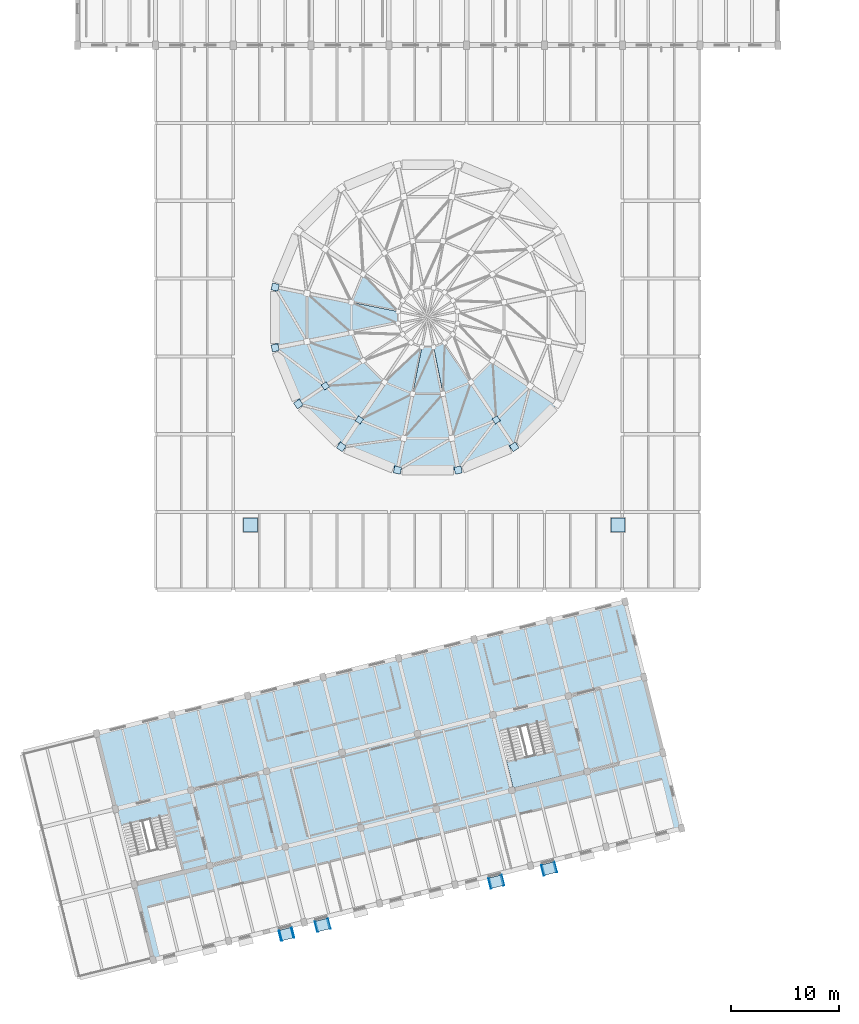
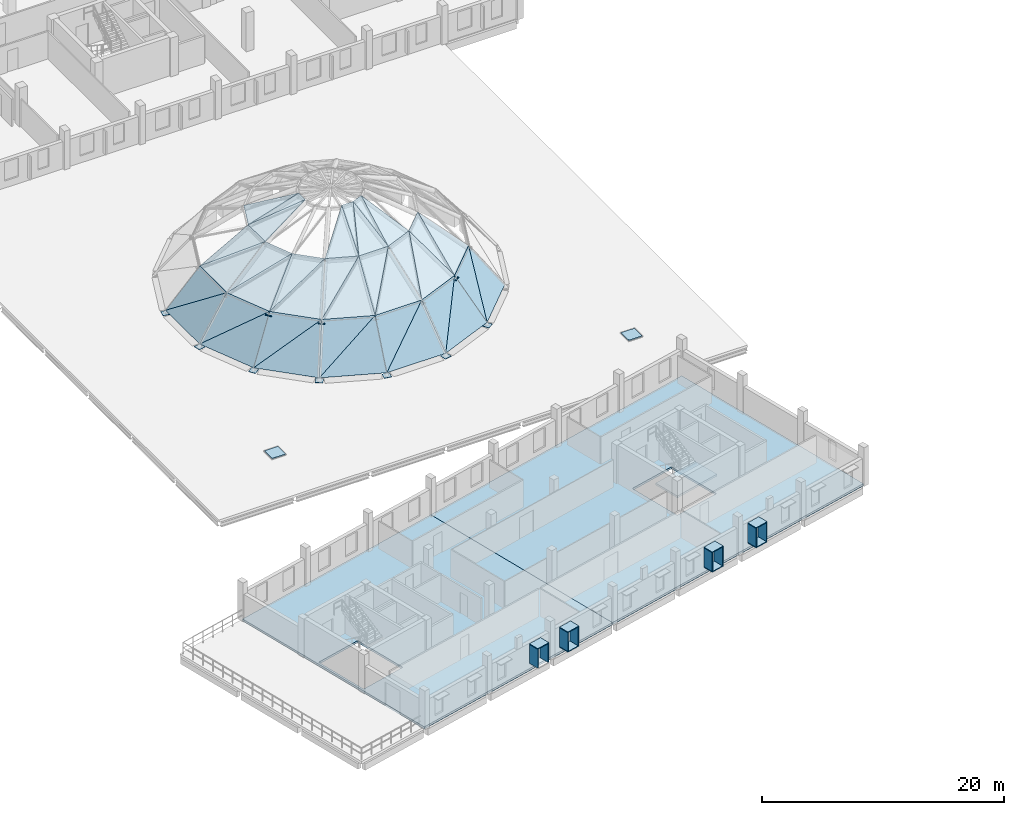
# One storey, part 14 of 32: 61 plates, 5 slabs, 1 element without a shape of its own.
"""IFC4 building model written with IfcOpenShell, lengths in metres."""

from ifc_helpers import new_model, si_unit, direction, frame, origin, origin_2d, place, context, subcontext, project, spatial, polyline, rectangle, outline, extrude, material, layer, layer_set, type_object, element, aggregate, save


model = new_model("IFC4")

# Units and contexts
model_context = context("Model", 3, precision=1e-05, world=origin(), true_north=direction((0.0, 1.0)))
body_context = subcontext(model_context, "Body", "Model", "MODEL_VIEW")
ifc_project = project(units=[si_unit("LENGTHUNIT", "METRE"), si_unit("AREAUNIT", "SQUARE_METRE"), si_unit("VOLUMEUNIT", "CUBIC_METRE"), si_unit("PLANEANGLEUNIT", "RADIAN"), si_unit("MASSUNIT", "GRAM", prefix="KILO")], contexts=[model_context])

# Site, building, storey
site_placement = place(None, origin())
site = spatial("IfcSite", under=ifc_project, at=site_placement, CompositionType="ELEMENT")
building_placement = place(site_placement, origin())
building = spatial("IfcBuilding", under=site, at=building_placement, Name="Qiaolan Assembly House", CompositionType="ELEMENT")
storey_placement = place(building_placement, frame((0.0, 0.0, 18.60009765625)))
storey = spatial("IfcBuildingStorey", under=building, at=storey_placement, Name="L04", CompositionType="ELEMENT", Elevation=18.60009765625)

# Plates
ifc_material_1 = material(Name="Patinated standing-seam zinc")
ifc_layer_1 = layer(ifc_material_1, 0.054931640625)
ifc_layer_set_1 = layer_set([ifc_layer_1], Name="Patinated standing-seam zinc")
plate_type_1 = type_object("IfcPlateType", Name="PLT-DOME-ZINC-LOWER", PredefinedType="SHEET", material=ifc_layer_set_1)
plate_1_placement = place(storey_placement, frame((54.276611328125, 64.00927734375, 0.27978515625), z_axis=(-0.790682458693, 0.0, 0.61222646914), x_axis=(0.0, -1.0, 0.0)))
element("IfcPlate", 1, at=plate_1_placement, inside=storey, type_object=plate_type_1, Name="DP-01 dome standing-seam cladding facet T0-8A", PredefinedType="SHEET", context=body_context, shape_type="SweptSolid", body=[
    extrude(outline(polyline([(0.0, 0.0), (5.61865234375, 0.0), (5.033203125, 4.806036590729371), (0.0, 0.0)])), origin(), (0.0, 0.0, -1.0), 0.054931640625),
])
plate_2_placement = place(storey_placement, frame((54.276611328125, 64.00927734375, 0.27978515625), z_axis=(-0.790682458693, 0.0, 0.61222646914), x_axis=(0.422801882655, -0.723239596151, 0.546043088577)))
element("IfcPlate", 2, at=plate_2_placement, inside=storey, type_object=plate_type_1, Name="DP-01 dome standing-seam cladding facet T0-8B", PredefinedType="SHEET", context=body_context, shape_type="SweptSolid", body=[
    extrude(outline(polyline([(0.0, 0.0), (6.959247186940507, 8.881784197001252e-16), (3.7422788758368117, 3.071774977168486), (0.0, 0.0)])), origin(), (0.0, 0.0, -1.0), 0.054931640625),
])
plate_3_placement = place(storey_placement, frame((54.276611328125, 58.390625, 0.27978515625), z_axis=(-0.730498715215, -0.302582174061, 0.612221900139), x_axis=(0.38268310735, -0.923879667137, 0.0)))
element("IfcPlate", 3, at=plate_3_placement, inside=storey, type_object=plate_type_1, Name="DP-01 dome standing-seam cladding facet T0-9A", PredefinedType="SHEET", context=body_context, shape_type="SweptSolid", body=[
    extrude(outline(polyline([(0.0, 0.0), (5.618608303001892, 0.0), (5.033292585289696, 4.806015087104592), (0.0, 0.0)])), origin(), (0.0, 0.0, -1.0), 0.054931640625),
])
plate_4_placement = place(storey_placement, frame((54.276611328125, 58.390625, 0.27978515625), z_axis=(-0.730494932202, -0.302561080456, 0.612236838666), x_axis=(0.667385114398, -0.506397399408, 0.546039177124)))
element("IfcPlate", 4, at=plate_4_placement, inside=storey, type_object=plate_type_1, Name="DP-01 dome standing-seam cladding facet T0-9B", PredefinedType="SHEET", context=body_context, shape_type="SweptSolid", body=[
    extrude(outline(polyline([(0.0, 0.0), (6.959297038251005, -4.440892098500626e-16), (3.742208063200371, 3.071907764058472), (0.0, 0.0)])), origin(), (0.0, 0.0, -1.0), 0.054931640625),
])
plate_5_placement = place(storey_placement, frame((56.4267578125, 53.19970703125, 0.27978515625), z_axis=(-0.559092016217, -0.559126373251, 0.612204064131), x_axis=(0.707128506566, -0.70708505514, 0.0)))
element("IfcPlate", 5, at=plate_5_placement, inside=storey, type_object=plate_type_1, Name="DP-01 dome standing-seam cladding facet T0-10A", PredefinedType="SHEET", context=body_context, shape_type="SweptSolid", body=[
    extrude(outline(polyline([(0.0, 0.0), (5.618702250522808, 2.220446049250313e-16), (5.033392479393601, 4.805931147705246), (0.0, 0.0)])), origin(), (0.0, 0.0, -1.0), 0.054931640625),
])
plate_6_placement = place(storey_placement, frame((56.4267578125, 53.19970703125, 0.27978515625), z_axis=(-0.559098180624, -0.559098180624, 0.612224181854), x_axis=(0.810374500897, -0.212451427595, 0.546038056557)))
element("IfcPlate", 6, at=plate_6_placement, inside=storey, type_object=plate_type_1, Name="DP-01 dome standing-seam cladding facet T0-10B", PredefinedType="SHEET", context=body_context, shape_type="SweptSolid", body=[
    extrude(outline(polyline([(0.0, 0.0), (6.959311319958285, -4.440892098500626e-16), (3.7422540844211314, 3.071792615804534), (0.0, 0.0)])), origin(), (0.0, 0.0, -1.0), 0.054931640625),
])
plate_7_placement = place(storey_placement, frame((60.39990234375, 49.226806640625, 0.27978515625), z_axis=(-0.302581863297, -0.730497964961, 0.612222948926), x_axis=(0.923879667137, -0.38268310735, 0.0)))
element("IfcPlate", 7, at=plate_7_placement, inside=storey, type_object=plate_type_1, Name="DP-01 dome standing-seam cladding facet T0-11A", PredefinedType="SHEET", context=body_context, shape_type="SweptSolid", body=[
    extrude(outline(polyline([(0.0, 0.0), (5.618608303001892, 2.220446049250313e-16), (5.033267178086251, 4.806020023093471), (0.0, 0.0)])), origin(), (0.0, 0.0, -1.0), 0.054931640625),
])
plate_8_placement = place(storey_placement, frame((60.39990234375, 49.226806640625, 0.27978515625), z_axis=(-0.302569622275, -0.730515555329, 0.612208009666), x_axis=(0.829988350475, 0.113838801187, 0.546040351458)))
element("IfcPlate", 8, at=plate_8_placement, inside=storey, type_object=plate_type_1, Name="DP-01 dome standing-seam cladding facet T0-11B", PredefinedType="SHEET", context=body_context, shape_type="SweptSolid", body=[
    extrude(outline(polyline([(0.0, 0.0), (6.959282071332912, -4.440892098500626e-16), (3.742116597293462, 3.0718276476592203), (0.0, 0.0)])), origin(), (0.0, 0.0, -1.0), 0.054931640625),
])
plate_9_placement = place(storey_placement, frame((65.5908203125, 47.07666015625, 0.27978515625), z_axis=(0.0, -0.790682458693, 0.61222646914), x_axis=(1.0, 0.0, 0.0)))
element("IfcPlate", 9, at=plate_9_placement, inside=storey, type_object=plate_type_1, Name="DP-01 dome standing-seam cladding facet T0-12A", PredefinedType="SHEET", context=body_context, shape_type="SweptSolid", body=[
    extrude(outline(polyline([(0.0, 0.0), (5.618408203125, 0.0), (5.033203125, 4.806036590729371), (0.0, 0.0)])), origin(), (0.0, 0.0, -1.0), 0.054931640625),
])
plate_10_placement = place(storey_placement, frame((65.5908203125, 47.07666015625, 0.27978515625), z_axis=(0.0, -0.790682458693, 0.61222646914), x_axis=(0.723239596151, 0.422801882655, 0.546043088577)))
element("IfcPlate", 10, at=plate_10_placement, inside=storey, type_object=plate_type_1, Name="DP-01 dome standing-seam cladding facet T0-12B", PredefinedType="SHEET", context=body_context, shape_type="SweptSolid", body=[
    extrude(outline(polyline([(0.0, 0.0), (6.959247186940507, 8.881784197001252e-16), (3.7422788758368117, 3.071774977168486), (0.0, 0.0)])), origin(), (0.0, 0.0, -1.0), 0.054931640625),
])
plate_11_placement = place(storey_placement, frame((71.209228515625, 47.07666015625, 0.27978515625), z_axis=(0.302582174061, -0.730498715215, 0.612221900139), x_axis=(0.923879667137, 0.38268310735, 0.0)))
element("IfcPlate", 11, at=plate_11_placement, inside=storey, type_object=plate_type_1, Name="DP-01 dome standing-seam cladding facet T0-13A", PredefinedType="SHEET", context=body_context, shape_type="SweptSolid", body=[
    extrude(outline(polyline([(0.0, 0.0), (5.618608303001892, 0.0), (5.033292585289696, 4.806015087104592), (0.0, 0.0)])), origin(), (0.0, 0.0, -1.0), 0.054931640625),
])
plate_12_placement = place(storey_placement, frame((71.209228515625, 47.07666015625, 0.27978515625), z_axis=(0.302580498291, -0.730498414692, 0.612223086943), x_axis=(0.506397399408, 0.667385114398, 0.546039177124)))
element("IfcPlate", 12, at=plate_12_placement, inside=storey, type_object=plate_type_1, Name="DP-01 dome standing-seam cladding facet T0-13B", PredefinedType="SHEET", context=body_context, shape_type="SweptSolid", body=[
    extrude(outline(polyline([(0.0, 0.0), (6.959297038251005, -8.881784197001252e-16), (3.7423316953779606, 3.0717106271037986), (0.0, 0.0)])), origin(), (0.0, 0.0, -1.0), 0.054931640625),
])
plate_13_placement = place(storey_placement, frame((76.400146484375, 49.226806640625, 0.27978515625), z_axis=(0.559098180624, -0.559098180624, 0.612224181854), x_axis=(0.707106781187, 0.707106781187, 0.0)))
element("IfcPlate", 13, at=plate_13_placement, inside=storey, type_object=plate_type_1, Name="DP-01 dome standing-seam cladding facet T0-14A", PredefinedType="SHEET", context=body_context, shape_type="SweptSolid", body=[
    extrude(outline(polyline([(0.0, 0.0), (5.618529614379242, 0.0), (5.033302078192134, 4.806025825748991), (0.0, 0.0)])), origin(), (0.0, 0.0, -1.0), 0.054931640625),
])
plate_14_placement = place(storey_placement, frame((76.400146484375, 49.226806640625, 0.27978515625), z_axis=(0.559098180624, -0.559098180624, 0.612224181854), x_axis=(0.212451427595, 0.810374500897, 0.546038056557)))
element("IfcPlate", 14, at=plate_14_placement, inside=storey, type_object=plate_type_1, Name="DP-01 dome standing-seam cladding facet T0-14B", PredefinedType="SHEET", context=body_context, shape_type="SweptSolid", body=[
    extrude(outline(polyline([(0.0, 0.0), (6.959311319958285, -4.440892098500626e-16), (3.7422540844211314, 3.071792615804534), (0.0, 0.0)])), origin(), (0.0, 0.0, -1.0), 0.054931640625),
])
ifc_layer_2 = layer(ifc_material_1, 0.0458984375)
ifc_layer_set_2 = layer_set([ifc_layer_2], Name="Patinated standing-seam zinc")
plate_type_2 = type_object("IfcPlateType", Name="PLT-DOME-ZINC-MID", PredefinedType="SHEET", material=ifc_layer_set_2)
plate_15_placement = place(storey_placement, frame((57.218994140625, 63.424072265625, 4.079833984375), z_axis=(-0.613460938515, 0.0, 0.789725064131), x_axis=(0.0, -1.0, 0.0)))
element("IfcPlate", 15, at=plate_15_placement, inside=storey, type_object=plate_type_2, Name="DP-02 dome standing-seam cladding facet T1-8A", PredefinedType="SHEET", context=body_context, shape_type="SweptSolid", body=[
    extrude(outline(polyline([(0.0, 0.0), (4.447998046875, 0.0), (3.628662109375, 5.216226447312992), (0.0, 0.0)])), origin(), (0.0, 0.0, -1.0), 0.0458984375),
])
plate_16_placement = place(storey_placement, frame((57.218994140625, 63.424072265625, 4.079833984375), z_axis=(-0.613460938515, 0.0, 0.789725064131), x_axis=(0.648290412816, -0.571062668505, 0.503594052082)))
element("IfcPlate", 16, at=plate_16_placement, inside=storey, type_object=plate_type_2, Name="DP-02 dome standing-seam cladding facet T1-8B", PredefinedType="SHEET", context=body_context, shape_type="SweptSolid", body=[
    extrude(outline(polyline([(0.0, 0.0), (6.354227494641764, -2.220446049250313e-16), (4.749926194231201, 2.306194024249222), (0.0, 0.0)])), origin(), (0.0, 0.0, -1.0), 0.0458984375),
])
plate_17_placement = place(storey_placement, frame((57.218994140625, 58.97607421875, 4.079833984375), z_axis=(-0.566773983389, -0.234750086864, 0.789721247321), x_axis=(0.382662027742, -0.923888398306, 0.0)))
element("IfcPlate", 17, at=plate_17_placement, inside=storey, type_object=plate_type_2, Name="DP-02 dome standing-seam cladding facet T1-9A", PredefinedType="SHEET", context=body_context, shape_type="SweptSolid", body=[
    extrude(outline(polyline([(0.0, 0.0), (4.448177018091238, 0.0), (3.628614599590414, 5.216184668823375), (0.0, 0.0)])), origin(), (0.0, 0.0, -1.0), 0.0458984375),
])
plate_18_placement = place(storey_placement, frame((57.218994140625, 58.97607421875, 4.079833984375), z_axis=(-0.566772655676, -0.234738030566, 0.789725783917), x_axis=(0.817469339396, -0.279521030462, 0.503598920449)))
element("IfcPlate", 18, at=plate_18_placement, inside=storey, type_object=plate_type_2, Name="DP-02 dome standing-seam cladding facet T1-9B", PredefinedType="SHEET", context=body_context, shape_type="SweptSolid", body=[
    extrude(outline(polyline([(0.0, 0.0), (6.3541660673631055, 2.220446049250313e-16), (4.749941073173516, 2.306163378753932), (0.0, 0.0)])), origin(), (0.0, 0.0, -1.0), 0.0458984375),
])
plate_19_placement = place(storey_placement, frame((58.921142578125, 54.866455078125, 4.079833984375), z_axis=(-0.433782678019, -0.433782678019, 0.789724747302), x_axis=(0.707106781187, -0.707106781187, 0.0)))
element("IfcPlate", 19, at=plate_19_placement, inside=storey, type_object=plate_type_2, Name="DP-02 dome standing-seam cladding facet T1-10A", PredefinedType="SHEET", context=body_context, shape_type="SweptSolid", body=[
    extrude(outline(polyline([(0.0, 0.0), (4.448074542005026, 0.0), (3.628755991343074, 5.216222979285696), (0.0, 0.0)])), origin(), (0.0, 0.0, -1.0), 0.0458984375),
])
plate_20_placement = place(storey_placement, frame((58.921142578125, 54.866455078125, 4.079833984375), z_axis=(-0.433782678019, -0.433782678019, 0.789724747302), x_axis=(0.862215902554, 0.054596889512, 0.503590028732)))
element("IfcPlate", 20, at=plate_20_placement, inside=storey, type_object=plate_type_2, Name="DP-02 dome standing-seam cladding facet T1-10B", PredefinedType="SHEET", context=body_context, shape_type="SweptSolid", body=[
    extrude(outline(polyline([(0.0, 0.0), (6.354278260694631, 0.0), (4.7498847281928445, 2.3062654066623223), (0.0, 0.0)])), origin(), (0.0, 0.0, -1.0), 0.0458984375),
])
plate_21_placement = place(storey_placement, frame((62.06640625, 51.72119140625, 4.079833984375), z_axis=(-0.234748356698, -0.566769806124, 0.78972475958), x_axis=(0.923888398306, -0.382662027742, 0.0)))
element("IfcPlate", 21, at=plate_21_placement, inside=storey, type_object=plate_type_2, Name="DP-02 dome standing-seam cladding facet T1-11A", PredefinedType="SHEET", context=body_context, shape_type="SweptSolid", body=[
    extrude(outline(polyline([(0.0, 0.0), (4.448177018091238, 2.220446049250313e-16), (3.628819857597223, 5.21622311367849), (0.0, 0.0)])), origin(), (0.0, 0.0, -1.0), 0.0458984375),
])
plate_22_placement = place(storey_placement, frame((62.06640625, 51.72119140625, 4.079833984375), z_axis=(-0.234740769995, -0.566779270003, 0.789720222609), x_axis=(0.775686317015, 0.380408649501, 0.503587129482)))
element("IfcPlate", 22, at=plate_22_placement, inside=storey, type_object=plate_type_2, Name="DP-02 dome standing-seam cladding facet T1-11B", PredefinedType="SHEET", context=body_context, shape_type="SweptSolid", body=[
    extrude(outline(polyline([(0.0, 0.0), (6.3543148435189805, 2.220446049250313e-16), (4.749973546536932, 2.3060824712673016), (0.0, 0.0)])), origin(), (0.0, 0.0, -1.0), 0.0458984375),
])
plate_23_placement = place(storey_placement, frame((66.176025390625, 50.01904296875, 4.079833984375), z_axis=(0.0, -0.613460938515, 0.789725064131), x_axis=(1.0, 0.0, 0.0)))
element("IfcPlate", 23, at=plate_23_placement, inside=storey, type_object=plate_type_2, Name="DP-02 dome standing-seam cladding facet T1-12A", PredefinedType="SHEET", context=body_context, shape_type="SweptSolid", body=[
    extrude(outline(polyline([(0.0, 0.0), (4.447998046875, 0.0), (3.628662109375, 5.216226447312992), (0.0, 0.0)])), origin(), (0.0, 0.0, -1.0), 0.0458984375),
])
plate_24_placement = place(storey_placement, frame((66.176025390625, 50.01904296875, 4.079833984375), z_axis=(0.0, -0.613460938515, 0.789725064131), x_axis=(0.571062668505, 0.648290412816, 0.503594052082)))
element("IfcPlate", 24, at=plate_24_placement, inside=storey, type_object=plate_type_2, Name="DP-02 dome standing-seam cladding facet T1-12B", PredefinedType="SHEET", context=body_context, shape_type="SweptSolid", body=[
    extrude(outline(polyline([(0.0, 0.0), (6.354227494641764, -2.220446049250313e-16), (4.749926194231201, 2.306194024249222), (0.0, 0.0)])), origin(), (0.0, 0.0, -1.0), 0.0458984375),
])
plate_25_placement = place(storey_placement, frame((70.6240234375, 50.01904296875, 4.079833984375), z_axis=(0.234764700055, -0.56677559256, 0.78971574841), x_axis=(0.923880360791, 0.382681432714, 0.0)))
element("IfcPlate", 25, at=plate_25_placement, inside=storey, type_object=plate_type_2, Name="DP-02 dome standing-seam cladding facet T1-13A", PredefinedType="SHEET", context=body_context, shape_type="SweptSolid", body=[
    extrude(outline(polyline([(0.0, 0.0), (4.447951460381362, 2.220446049250313e-16), (3.6287011199159593, 5.216124480296592), (0.0, 0.0)])), origin(), (0.0, 0.0, -1.0), 0.0458984375),
])
plate_26_placement = place(storey_placement, frame((70.6240234375, 50.01904296875, 4.079833984375), z_axis=(0.234738030566, -0.566772655676, 0.789725783917), x_axis=(0.279521030462, 0.817469339396, 0.503598920449)))
element("IfcPlate", 26, at=plate_26_placement, inside=storey, type_object=plate_type_2, Name="DP-02 dome standing-seam cladding facet T1-13B", PredefinedType="SHEET", context=body_context, shape_type="SweptSolid", body=[
    extrude(outline(polyline([(0.0, 0.0), (6.3541660673631055, 2.220446049250313e-16), (4.749941073173516, 2.306163378753932), (0.0, 0.0)])), origin(), (0.0, 0.0, -1.0), 0.0458984375),
])
plate_27_placement = place(storey_placement, frame((74.7333984375, 51.72119140625, 4.079833984375), z_axis=(0.433782678019, -0.433782678019, 0.789724747302), x_axis=(0.707106781187, 0.707106781187, 0.0)))
element("IfcPlate", 27, at=plate_27_placement, inside=storey, type_object=plate_type_2, Name="DP-02 dome standing-seam cladding facet T1-14A", PredefinedType="SHEET", context=body_context, shape_type="SweptSolid", body=[
    extrude(outline(polyline([(0.0, 0.0), (4.448074542005026, 0.0), (3.628755991343074, 5.216222979285696), (0.0, 0.0)])), origin(), (0.0, 0.0, -1.0), 0.0458984375),
])
plate_28_placement = place(storey_placement, frame((74.7333984375, 51.72119140625, 4.079833984375), z_axis=(0.433823980295, -0.433770665316, 0.789708657691), x_axis=(-0.054596889512, 0.862215902554, 0.503590028732)))
element("IfcPlate", 28, at=plate_28_placement, inside=storey, type_object=plate_type_2, Name="DP-02 dome standing-seam cladding facet T1-14B", PredefinedType="SHEET", context=body_context, shape_type="SweptSolid", body=[
    extrude(outline(polyline([(0.0, 0.0), (6.354278260694631, 2.220446049250313e-16), (4.749871398874117, 2.306045838325793), (0.0, 0.0)])), origin(), (0.0, 0.0, -1.0), 0.0458984375),
])
plate_29_placement = place(storey_placement, frame((62.413330078125, 65.2001953125, 7.27978515625), z_axis=(-0.419644751073, 0.173802637473, 0.890893330374), x_axis=(-0.382646017682, -0.923895029293, 0.0)))
element("IfcPlate", 29, at=plate_29_placement, inside=storey, type_object=plate_type_2, Name="DP-02 dome standing-seam cladding facet T2-7A", PredefinedType="SHEET", context=body_context, shape_type="SweptSolid", body=[
    extrude(outline(polyline([(0.0, 0.0), (2.809257439518198, 0.0), (1.9510455045689605, 4.84397697693914), (0.0, 0.0)])), origin(), (0.0, 0.0, -1.0), 0.0458984375),
])
plate_30_placement = place(storey_placement, frame((61.33837890625, 62.604736328125, 7.27978515625), z_axis=(-0.454215685423, 0.0, 0.890891750504), x_axis=(0.0, -1.0, 0.0)))
element("IfcPlate", 30, at=plate_30_placement, inside=storey, type_object=plate_type_2, Name="DP-02 dome standing-seam cladding facet T2-8A", PredefinedType="SHEET", context=body_context, shape_type="SweptSolid", body=[
    extrude(outline(polyline([(0.0, 0.0), (2.809326171875, 0.0), (1.950927734375, 4.843943930404576), (0.0, 0.0)])), origin(), (0.0, 0.0, -1.0), 0.0458984375),
])
plate_31_placement = place(storey_placement, frame((61.33837890625, 62.604736328125, 7.27978515625), z_axis=(-0.454215685423, 0.0, 0.890891750504), x_axis=(0.826384529088, -0.373593503731, 0.421327074912)))
element("IfcPlate", 31, at=plate_31_placement, inside=storey, type_object=plate_type_2, Name="DP-02 dome standing-seam cladding facet T2-8B", PredefinedType="SHEET", context=body_context, shape_type="SweptSolid", body=[
    extrude(outline(polyline([(0.0, 0.0), (5.222060113179174, 2.7755575615628914e-16), (4.8138982652311935, 1.013422010028335), (0.0, 0.0)])), origin(), (0.0, 0.0, -1.0), 0.0458984375),
])
plate_32_placement = place(storey_placement, frame((64.39990234375, 55.21337890625, 7.27978515625), z_axis=(-0.173802637473, -0.419644751073, 0.890893330374), x_axis=(0.923895029293, -0.382646017682, 0.0)))
element("IfcPlate", 32, at=plate_32_placement, inside=storey, type_object=plate_type_2, Name="DP-02 dome standing-seam cladding facet T2-11A", PredefinedType="SHEET", context=body_context, shape_type="SweptSolid", body=[
    extrude(outline(polyline([(0.0, 0.0), (2.809257439518198, 0.0), (1.9510455045689605, 4.84397697693914), (0.0, 0.0)])), origin(), (0.0, 0.0, -1.0), 0.0458984375),
])
plate_33_placement = place(storey_placement, frame((66.995361328125, 54.138427734375, 7.27978515625), z_axis=(0.0, -0.454215685423, 0.890891750504), x_axis=(1.0, 0.0, 0.0)))
element("IfcPlate", 33, at=plate_33_placement, inside=storey, type_object=plate_type_2, Name="DP-02 dome standing-seam cladding facet T2-12A", PredefinedType="SHEET", context=body_context, shape_type="SweptSolid", body=[
    extrude(outline(polyline([(0.0, 0.0), (2.809326171875, 0.0), (1.950927734375, 4.843943930404576), (0.0, 0.0)])), origin(), (0.0, 0.0, -1.0), 0.0458984375),
])
plate_34_placement = place(storey_placement, frame((66.995361328125, 54.138427734375, 7.27978515625), z_axis=(0.0, -0.454215685423, 0.890891750504), x_axis=(0.373593503731, 0.826384529088, 0.421327074912)))
element("IfcPlate", 34, at=plate_34_placement, inside=storey, type_object=plate_type_2, Name="DP-02 dome standing-seam cladding facet T2-12B", PredefinedType="SHEET", context=body_context, shape_type="SweptSolid", body=[
    extrude(outline(polyline([(0.0, 0.0), (5.222060113179174, 2.7755575615628914e-16), (4.8138982652311935, 1.013422010028335), (0.0, 0.0)])), origin(), (0.0, 0.0, -1.0), 0.0458984375),
])
plate_35_placement = place(storey_placement, frame((69.8046875, 54.138427734375, 7.27978515625), z_axis=(0.173803810795, -0.419647584048, 0.890891767027), x_axis=(0.923895029293, 0.382646017682, 0.0)))
element("IfcPlate", 35, at=plate_35_placement, inside=storey, type_object=plate_type_2, Name="DP-02 dome standing-seam cladding facet T2-13A", PredefinedType="SHEET", context=body_context, shape_type="SweptSolid", body=[
    extrude(outline(polyline([(0.0, 0.0), (2.809257439518198, -1.1102230246251565e-16), (1.9506123337208157, 4.843944276017412), (0.0, 0.0)])), origin(), (0.0, 0.0, -1.0), 0.0458984375),
])
plate_36_placement = place(storey_placement, frame((69.8046875, 54.138427734375, 7.27978515625), z_axis=(0.173787615248, -0.419648365325, 0.890894558445), x_axis=(0.028893252475, 0.906443978939, 0.421336555508)))
element("IfcPlate", 36, at=plate_36_placement, inside=storey, type_object=plate_type_2, Name="DP-02 dome standing-seam cladding facet T2-13B", PredefinedType="SHEET", context=body_context, shape_type="SweptSolid", body=[
    extrude(outline(polyline([(0.0, 0.0), (5.221942610334358, 5.551115123125783e-17), (4.8139160484022065, 1.0133375337672272), (0.0, 0.0)])), origin(), (0.0, 0.0, -1.0), 0.0458984375),
])
ifc_material_2 = material(Name="Steel Q355B", Category="steel")
ifc_layer_3 = layer(ifc_material_2, 0.0380859375)
ifc_layer_set_3 = layer_set([ifc_layer_3], Name="Steel Q355B")
plate_type_3 = type_object("IfcPlateType", Name="PLT-NODE-DN1-BASE", PredefinedType="SHEET", material=ifc_layer_set_3)
for number, where, z_axis, x_axis, name in (
    (37, (54.276611328125, 64.00927734375, -0.01904296875), (0.0, 0.0, 1.0), (-0.980785280403, 0.195090322016, 0.0), "DN1 dome steel node and end-cap assembly T0-8"),
    (38, (54.276611328125, 58.390625, -0.01904296875), (0.0, 0.0, 1.0), (-0.980785280403, -0.195090322016, 0.0), "DN1 dome steel node and end-cap assembly T0-9"),
    (39, (56.4267578125, 53.19970703125, -0.01904296875), (0.0, 0.0, 1.0), (-0.831469612303, -0.55557023302, 0.0), "DN1 dome steel node and end-cap assembly T0-10"),
    (40, (60.39990234375, 49.226806640625, -0.01904296875), (0.0, 0.0, 1.0), (-0.55557023302, -0.831469612303, 0.0), "DN1 dome steel node and end-cap assembly T0-11"),
    (41, (65.5908203125, 47.07666015625, -0.01904296875), (0.0, 0.0, 1.0), (-0.195090322016, -0.980785280403, 0.0), "DN1 dome steel node and end-cap assembly T0-12"),
    (42, (71.209228515625, 47.07666015625, -0.01904296875), (0.0, 0.0, 1.0), (0.195090322016, -0.980785280403, 0.0), "DN1 dome steel node and end-cap assembly T0-13"),
    (43, (76.400146484375, 49.226806640625, -0.01904296875), (0.0, 0.0, 1.0), (0.55557023302, -0.831469612303, 0.0), "DN1 dome steel node and end-cap assembly T0-14"),
):
    element("IfcPlate", number, at=place(storey_placement, frame(where, z_axis=z_axis, x_axis=x_axis)), inside=storey, type_object=plate_type_3, Name=name, PredefinedType="SHEET", context=body_context, shape_type="SweptSolid", body=[
        extrude(rectangle(XDim=0.64990234375, YDim=0.64990234375, at=origin_2d()), origin(), (0.0, 0.0, 1.0), 0.0380859375),
    ])
ifc_layer_4 = layer(ifc_material_2, 0.034912109375)
ifc_layer_set_4 = layer_set([ifc_layer_4], Name="Steel Q355B")
plate_type_4 = type_object("IfcPlateType", Name="PLT-NODE-DN2-RING", PredefinedType="SHEET", material=ifc_layer_set_4)
for number, where, z_axis, x_axis, name in (
    (44, (58.921142578125, 54.866455078125, 3.7822265625), (0.0, 0.0, 1.0), (-0.831469612303, -0.55557023302, 0.0), "DN2 dome steel node and end-cap assembly T1-10"),
    (45, (62.06640625, 51.72119140625, 3.7822265625), (0.0, 0.0, 1.0), (-0.55557023302, -0.831469612303, 0.0), "DN2 dome steel node and end-cap assembly T1-11"),
    (46, (74.7333984375, 51.72119140625, 3.7822265625), (0.0, 0.0, 1.0), (0.55557023302, -0.831469612303, 0.0), "DN2 dome steel node and end-cap assembly T1-14"),
):
    element("IfcPlate", number, at=place(storey_placement, frame(where, z_axis=z_axis, x_axis=x_axis)), inside=storey, type_object=plate_type_4, Name=name, PredefinedType="SHEET", context=body_context, shape_type="SweptSolid", body=[
        extrude(rectangle(XDim=0.56005859375, YDim=0.56005859375, at=origin_2d()), origin(), (0.0, 0.0, 1.0), 0.034912109375),
    ])
ifc_material_3 = material(Name="Honed pale limestone", Category="masonry")
ifc_layer_5 = layer(ifc_material_3, 0.0849609375)
ifc_layer_set_5 = layer_set([ifc_layer_5], Name="Honed pale limestone")
plate_type_5 = type_object("IfcPlateType", Name="PLT-WINBOX-CHEEK", PredefinedType="SHEET", material=ifc_layer_set_5)
for number, where, z_axis, x_axis, name in (
    (47, (54.748046875, 3.994140625, 0.7001953125), (0.0, 0.0, 1.0), (0.970295726276, 0.2419218956, 0.0), "WB-02 projecting window-box cheek CL SES-L04-01-2"),
    (48, (55.89794921875, 4.281005859375, 0.7001953125), (0.0, 0.0, 1.0), (0.970295726276, 0.2419218956, 0.0), "WB-02 projecting window-box cheek CR SES-L04-01-2"),
    (49, (58.095703125, 4.828857421875, 0.7001953125), (0.0, 0.0, 1.0), (0.970295726276, 0.2419218956, 0.0), "WB-02 projecting window-box cheek CL SES-L04-02-0"),
    (50, (59.245361328125, 5.115478515625, 0.7001953125), (0.0, 0.0, 1.0), (0.970295726276, 0.2419218956, 0.0), "WB-02 projecting window-box cheek CR SES-L04-02-0"),
    (51, (74.16845703125, 8.836181640625, 0.7001953125), (0.0, 0.0, 1.0), (0.970295726276, 0.2419218956, 0.0), "WB-02 projecting window-box cheek CL SES-L04-04-2"),
    (52, (75.318359375, 9.123046875, 0.7001953125), (0.0, 0.0, 1.0), (0.970295726276, 0.2419218956, 0.0), "WB-02 projecting window-box cheek CR SES-L04-04-2"),
    (53, (79.053955078125, 10.054443359375, 0.7001953125), (0.0, 0.0, 1.0), (0.970295726276, 0.2419218956, 0.0), "WB-02 projecting window-box cheek CL SES-L04-05-0"),
    (54, (80.203857421875, 10.341064453125, 0.7001953125), (0.0, 0.0, 1.0), (0.970295726276, 0.2419218956, 0.0), "WB-02 projecting window-box cheek CR SES-L04-05-0"),
):
    element("IfcPlate", number, at=place(storey_placement, frame(where, z_axis=z_axis, x_axis=x_axis)), inside=storey, type_object=plate_type_5, Name=name, PredefinedType="SHEET", context=body_context, shape_type="SweptSolid", body=[
        extrude(rectangle(XDim=0.0849609375, YDim=1.0, at=origin_2d()), origin(), (0.0, 0.0, 1.0), 1.889892578125),
    ])
ifc_layer_6 = layer(ifc_material_3, 0.080078125)
ifc_layer_set_6 = layer_set([ifc_layer_6], Name="Honed pale limestone")
plate_type_6 = type_object("IfcPlateType", Name="PLT-WINBOX-SURROUND", PredefinedType="SHEET", material=ifc_layer_set_6)
plate_37_placement = place(storey_placement, frame((0.0, 0.0, 2.58984375)))
element("IfcPlate", 55, at=plate_37_placement, inside=storey, type_object=plate_type_6, Name="WB-01 projecting limestone window-box hood SES-L04-01-2", PredefinedType="SHEET", context=body_context, shape_type="SweptSolid", body=[
    extrude(outline(polyline([(54.827880859375, 3.498779296875), (56.06005859375, 3.80615234375), (55.818115234375, 4.7763671875), (54.5859375, 4.468994140625), (54.827880859375, 3.498779296875)])), origin(), (0.0, 0.0, 1.0), 0.080078125),
])
for number, where, name in (
    (56, (0.0, 0.0, 0.619873046875), "WB-01 projecting limestone window-box sill SES-L04-02-0"),
    (57, (0.0, 0.0, 2.58984375), "WB-01 projecting limestone window-box hood SES-L04-02-0"),
):
    element("IfcPlate", number, at=place(storey_placement, frame(where)), inside=storey, type_object=plate_type_6, Name=name, PredefinedType="SHEET", context=body_context, shape_type="SweptSolid", body=[
        extrude(outline(polyline([(58.17529296875, 4.33349609375), (59.40771484375, 4.640625), (59.165771484375, 5.61083984375), (57.933349609375, 5.3037109375), (58.17529296875, 4.33349609375)])), origin(), (0.0, 0.0, 1.0), 0.080078125),
    ])
for number, where, name in (
    (58, (0.0, 0.0, 0.619873046875), "WB-01 projecting limestone window-box sill SES-L04-04-2"),
    (59, (0.0, 0.0, 2.58984375), "WB-01 projecting limestone window-box hood SES-L04-04-2"),
):
    element("IfcPlate", number, at=place(storey_placement, frame(where)), inside=storey, type_object=plate_type_6, Name=name, PredefinedType="SHEET", context=body_context, shape_type="SweptSolid", body=[
        extrude(outline(polyline([(74.248291015625, 8.3408203125), (75.48046875, 8.648193359375), (75.23876953125, 9.618408203125), (74.00634765625, 9.31103515625), (74.248291015625, 8.3408203125)])), origin(), (0.0, 0.0, 1.0), 0.080078125),
    ])
for number, where, name in (
    (60, (0.0, 0.0, 0.619873046875), "WB-01 projecting limestone window-box sill SES-L04-05-0"),
    (61, (0.0, 0.0, 2.58984375), "WB-01 projecting limestone window-box hood SES-L04-05-0"),
):
    element("IfcPlate", number, at=place(storey_placement, frame(where)), inside=storey, type_object=plate_type_6, Name=name, PredefinedType="SHEET", context=body_context, shape_type="SweptSolid", body=[
        extrude(outline(polyline([(79.1337890625, 9.558837890625), (80.365966796875, 9.8662109375), (80.1240234375, 10.83642578125), (78.891845703125, 10.529296875), (79.1337890625, 9.558837890625)])), origin(), (0.0, 0.0, 1.0), 0.080078125),
    ])

# Slabs
ifc_material_4 = material(Name="Anodised bronze aluminium", Category="aluminium")
ifc_layer_7 = layer(ifc_material_4, 0.10009765625)
ifc_layer_set_7 = layer_set([ifc_layer_7], Name="Anodised bronze aluminium")
slab_type_1 = type_object("IfcSlabType", Name="SLB-HATCH-ROOF", PredefinedType="ROOF", material=ifc_layer_set_7)
for number, where, z_axis, x_axis, name in (
    (62, (52.0, 42.0, -0.000244140625), (0.0, 0.0, 1.0), (1.0, 0.0, 0.0), "RH-01 roof access hatch HTH-HL-4"),
    (63, (86.0, 42.0, -0.000244140625), (0.0, 0.0, 1.0), (1.0, 0.0, 0.0), "RH-01 roof access hatch HTH-HL-5"),
):
    element("IfcSlab", number, at=place(storey_placement, frame(where, z_axis=z_axis, x_axis=x_axis)), inside=storey, type_object=slab_type_1, Name=name, PredefinedType="ROOF", context=body_context, shape_type="SweptSolid", body=[
        extrude(rectangle(XDim=1.280029296875, YDim=1.280029296875, at=origin_2d()), origin(), (0.0, 0.0, 1.0), 0.10009765625),
    ])

# Stair, slab
ifc_material_5 = material(Name="Concrete C40/50", Category="concrete")
stair_type = type_object("IfcStairType", Name="STR-UPPER-390", PredefinedType="HALF_TURN_STAIR", material=ifc_material_5)
stair_placement = place(storey_placement, origin())
stair = element("IfcStair", 64, at=stair_placement, inside=storey, type_object=stair_type, Name="ST-08 enclosed egress stair CORE-D L04", PredefinedType="HALF_TURN_STAIR")
ifc_layer_8 = layer(ifc_material_5, 0.199951171875)
ifc_layer_set_8 = layer_set([ifc_layer_8], Name="Concrete C40/50")
slab_type_2 = type_object("IfcSlabType", Name="SLB-LANDING-200", PredefinedType="LANDING", material=ifc_layer_set_8)
slab_1_placement = place(storey_placement, frame((0.0, 0.0, 1.75)))
slab_1 = element("IfcSlab", 65, at=slab_1_placement, type_object=slab_type_2, Name="Stair landing LND-CORE-D-L04-HL", PredefinedType="LANDING", context=body_context, shape_type="SweptSolid", body=[
    extrude(outline(polyline([(76.30615234375, 17.6552734375), (75.67822265625, 20.17333984375), (80.08349609375, 21.271484375), (80.711181640625, 18.753662109375), (76.30615234375, 17.6552734375)])), origin(), (0.0, 0.0, 1.0), 0.199951171875),
])
aggregate(stair, [slab_1])

# Slabs
ifc_layer_9 = layer(ifc_material_5, 0.215087890625)
ifc_layer_set_9 = layer_set([ifc_layer_9], Name="Concrete C40/50")
slab_type_3 = type_object("IfcSlabType", Name="SLB-SE-FLOOR-215", PredefinedType="FLOOR", material=ifc_layer_set_9)
slab_2_placement = place(storey_placement, frame((0.0, 0.0, -0.215087890625)))
element("IfcSlab", 66, at=slab_2_placement, inside=storey, type_object=slab_type_3, Name="FS-07 South-East Splayed Wing West Plate L04", PredefinedType="FLOOR", context=body_context, shape_type="SweptSolid", body=[
    extrude(outline(polyline([(42.986083984375, 1.741943359375), (63.944580078125, 6.96728515625), (58.718994140625, 27.92578125), (37.760498046875, 22.7001953125), (42.986083984375, 1.741943359375)]), holes=[polyline([(40.095703125, 14.161376953125), (44.442626953125, 15.245361328125), (45.73681640625, 10.05419921875), (41.389892578125, 8.970458984375), (40.095703125, 14.161376953125)])]), origin(), (0.0, 0.0, 1.0), 0.215087890625),
])
slab_3_placement = place(storey_placement, frame((0.0, 0.0, -0.215087890625)))
element("IfcSlab", 67, at=slab_3_placement, inside=storey, type_object=slab_type_3, Name="FS-07 South-East Splayed Wing East Plate L04", PredefinedType="FLOOR", context=body_context, shape_type="SweptSolid", body=[
    extrude(outline(polyline([(63.944580078125, 6.96728515625), (91.888916015625, 13.934814453125), (86.66357421875, 34.89306640625), (58.718994140625, 27.92578125), (63.944580078125, 6.96728515625)]), holes=[polyline([(75.0263671875, 22.87060546875), (79.373291015625, 23.95458984375), (80.66748046875, 18.763427734375), (76.320556640625, 17.6796875), (75.0263671875, 22.87060546875)])]), origin(), (0.0, 0.0, 1.0), 0.215087890625),
])

save(model, "model.ifc")
